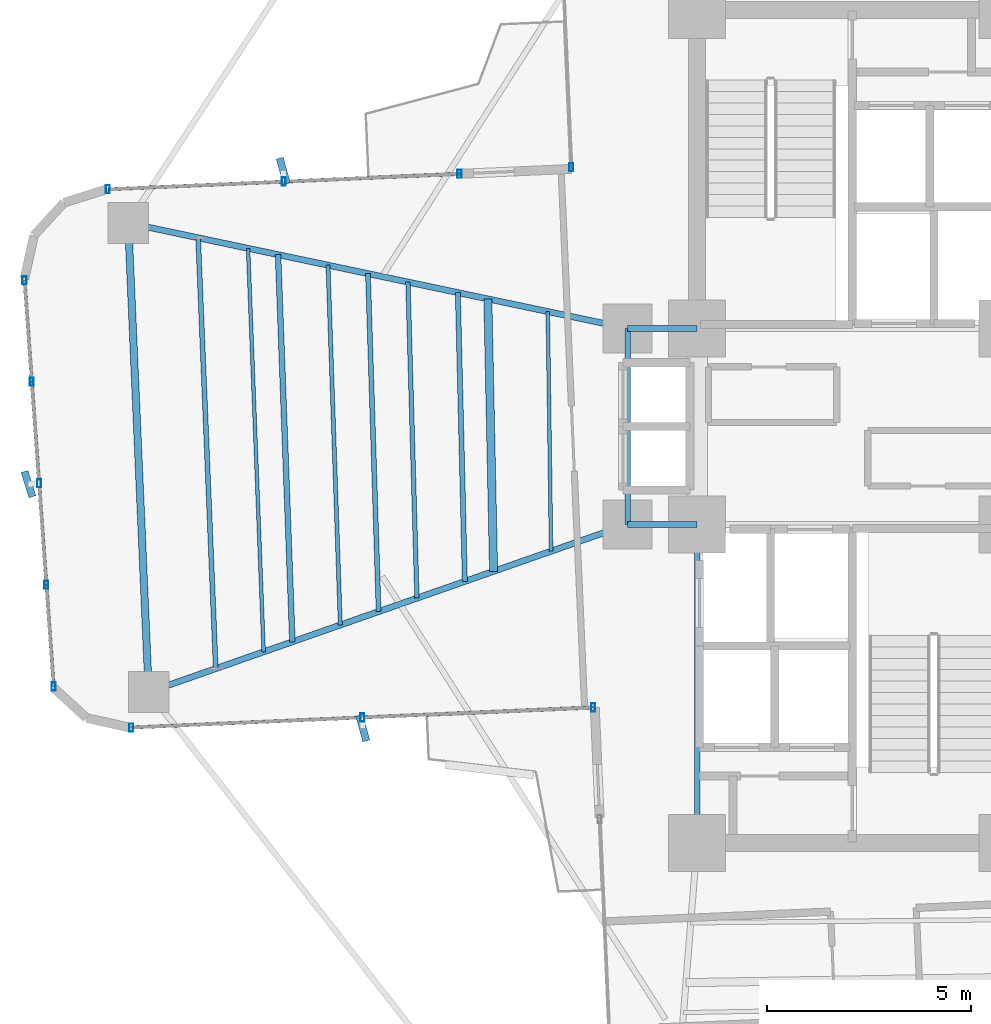
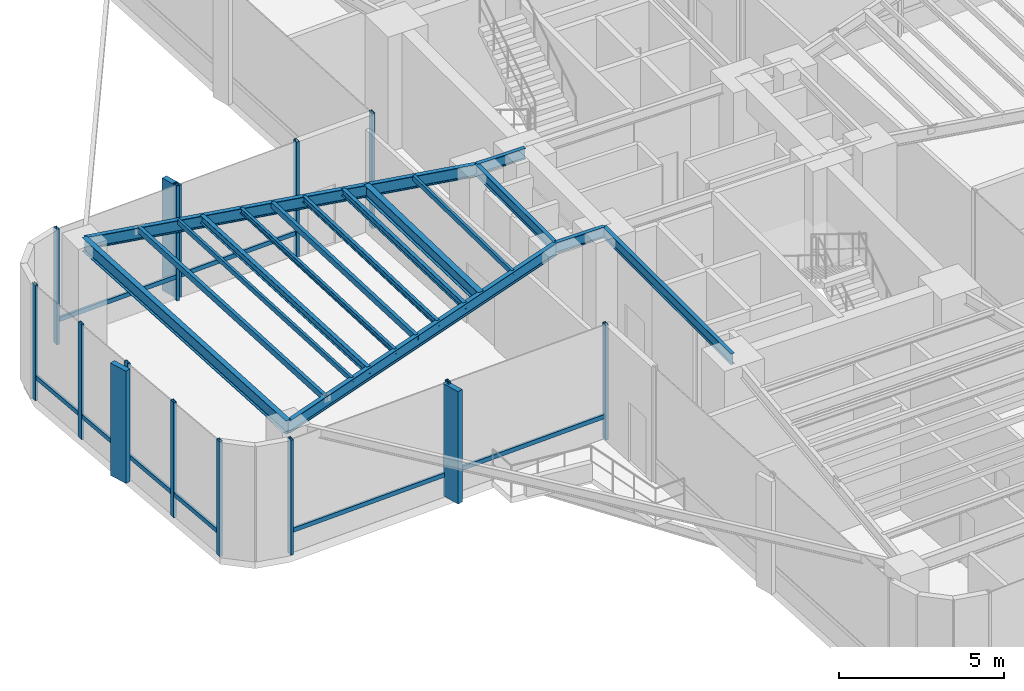
# One storey, part 5 of 21: 23 members, 16 beams, 4 elements without a shape of their own.
"""IFC4 building model written with IfcOpenShell, lengths in metres."""

from ifc_helpers import new_model, si_unit, direction, frame, origin, origin_2d, place, context, subcontext, project, spatial, rectangle, hollow_rectangle, i_section, extrude, source, transform, mapped, material, material_profile, profile_set, type_object, element, aggregate, save


model = new_model("IFC4")

# Units and contexts
model_context = context("Model", 3, precision=1e-05, world=origin(), true_north=direction((0.0, 1.0)))
body_context = subcontext(model_context, "Body", "Model", "MODEL_VIEW")
ifc_project = project(units=[si_unit("LENGTHUNIT", "METRE"), si_unit("AREAUNIT", "SQUARE_METRE"), si_unit("VOLUMEUNIT", "CUBIC_METRE"), si_unit("PLANEANGLEUNIT", "RADIAN"), si_unit("MASSUNIT", "GRAM", prefix="KILO")], contexts=[model_context])

# Site, building, storey
site_placement = place(None, origin())
site = spatial("IfcSite", under=ifc_project, at=site_placement, CompositionType="ELEMENT")
building_placement = place(site_placement, origin())
building = spatial("IfcBuilding", under=site, at=building_placement, Name="Sahyath Konkavel Grand Hotel", CompositionType="ELEMENT")
storey_placement = place(building_placement, frame((0.0, 0.0, 79.0)))
storey = spatial("IfcBuildingStorey", under=building, at=storey_placement, Name="L21", CompositionType="ELEMENT", Elevation=79.0)

# Beams
ifc_material_1 = material(Name="Steel E350", Category="steel")
ifc_material_profile_1 = material_profile(ifc_material_1, i_section(OverallWidth=0.139892578125, OverallDepth=0.39990234375, WebThickness=0.0087890625, FlangeThickness=0.01611328125, FilletRadius=0.013916015625, at=origin_2d()), Name="ISMB 400")
ifc_profile_set_1 = profile_set([ifc_material_profile_1], Name="Steel E350")
beam_type_1 = type_object("IfcBeamType", Name="BM-ISMB400", PredefinedType="BEAM", material=ifc_profile_set_1)
shared_shape_1 = source(origin(), body_context, "Body", "SweptSolid", [
    extrude(i_section(OverallWidth=0.139892578125, OverallDepth=0.39990234375, WebThickness=0.0087890625, FlangeThickness=0.01611328125, FilletRadius=0.013916015625, at=origin_2d()), origin(), (0.0, 0.0, 1.0), 7.800048828125),
])
beam_1_placement = place(storey_placement, frame((-3.800048828125, -10.199951171875, 4.06005859375), z_axis=(0.0, 1.0, 0.0), x_axis=(-1.0, 0.0, 0.0)))
element("IfcBeam", 1, at=beam_1_placement, inside=storey, type_object=beam_type_1, Name="str:bm:L21:SC-W", PredefinedType="BEAM", context=body_context, shape_type="MappedRepresentation", body=[
    mapped(shared_shape_1, transform((0.0, 0.0, 0.0), scale=1.0)),
])
shared_shape_2 = source(origin(), body_context, "Body", "SweptSolid", [
    extrude(i_section(OverallWidth=0.139892578125, OverallDepth=0.39990234375, WebThickness=0.0087890625, FlangeThickness=0.01611328125, FilletRadius=0.013916015625, at=origin_2d()), origin(), (0.0, 0.0, 1.0), 1.699951171875),
])
for number, where, z_axis, x_axis, name in (
    (2, (-5.5, 2.39990234375, 4.06005859375), (1.0, 0.0, 0.0), (0.0, 1.0, 0.0), "str:bm:L21:HB-NW"),
    (3, (-5.5, -2.39990234375, 4.06005859375), (1.0, 0.0, 0.0), (0.0, 1.0, 0.0), "str:bm:L21:HB-SW"),
):
    element("IfcBeam", number, at=place(storey_placement, frame(where, z_axis=z_axis, x_axis=x_axis)), inside=storey, type_object=beam_type_1, Name=name, PredefinedType="BEAM", context=body_context, shape_type="MappedRepresentation", body=[
        mapped(shared_shape_2, transform((0.0, 0.0, 0.0), scale=1.0)),
    ])
shared_shape_3 = source(origin(), body_context, "Body", "SweptSolid", [
    extrude(i_section(OverallWidth=0.139892578125, OverallDepth=0.39990234375, WebThickness=0.0087890625, FlangeThickness=0.01611328125, FilletRadius=0.013916015625, at=origin_2d()), origin(), (0.0, 0.0, 1.0), 4.7998046875),
])
beam_2_placement = place(storey_placement, frame((-5.5, -2.39990234375, 4.06005859375), z_axis=(0.0, 1.0, 0.0), x_axis=(-1.0, 0.0, 0.0)))
element("IfcBeam", 4, at=beam_2_placement, inside=storey, type_object=beam_type_1, Name="str:bm:L21:HB-W", PredefinedType="BEAM", context=body_context, shape_type="MappedRepresentation", body=[
    mapped(shared_shape_3, transform((0.0, 0.0, 0.0), scale=1.0)),
])
ifc_material_profile_2 = material_profile(ifc_material_1, i_section(OverallWidth=0.14990234375, OverallDepth=0.449951171875, WebThickness=0.009521484375, FlangeThickness=0.017333984375, FilletRadius=0.014892578125, at=origin_2d()), Name="ISMB 450")
ifc_profile_set_2 = profile_set([ifc_material_profile_2], Name="Steel E350")
beam_type_2 = type_object("IfcBeamType", Name="BM-ISMB450", PredefinedType="BEAM", material=ifc_profile_set_2)
shared_shape_4 = source(origin(), body_context, "Body", "SweptSolid", [
    extrude(i_section(OverallWidth=0.14990234375, OverallDepth=0.449951171875, WebThickness=0.009521484375, FlangeThickness=0.017333984375, FilletRadius=0.014892578125, at=origin_2d()), origin(), (0.0, 0.0, 1.0), 12.50341796875),
])
beam_3_placement = place(storey_placement, frame((-5.5, 2.39990234375, 4.034912109375), z_axis=(-0.978457911392, 0.206446398937, 0.0), x_axis=(-0.206446398937, -0.978457911392, 0.0)))
element("IfcBeam", 5, at=beam_3_placement, inside=storey, type_object=beam_type_2, Name="L21 Cruciform Radial Girder WA", PredefinedType="BEAM", context=body_context, shape_type="MappedRepresentation", body=[
    mapped(shared_shape_4, transform((0.0, 0.0, 0.0), scale=1.0)),
])
shared_shape_5 = source(origin(), body_context, "Body", "SweptSolid", [
    extrude(i_section(OverallWidth=0.14990234375, OverallDepth=0.449951171875, WebThickness=0.009521484375, FlangeThickness=0.017333984375, FilletRadius=0.014892578125, at=origin_2d()), origin(), (0.0, 0.0, 1.0), 12.430908203125),
])
beam_4_placement = place(storey_placement, frame((-5.5, -2.39990234375, 4.034912109375), z_axis=(-0.943819157235, -0.330462400941, 0.0), x_axis=(0.330462400941, -0.943819157235, 0.0)))
element("IfcBeam", 6, at=beam_4_placement, inside=storey, type_object=beam_type_2, Name="L21 Cruciform Radial Girder WB", PredefinedType="BEAM", context=body_context, shape_type="MappedRepresentation", body=[
    mapped(shared_shape_5, transform((0.0, 0.0, 0.0), scale=1.0)),
])
ifc_material_profile_3 = material_profile(ifc_material_1, i_section(OverallWidth=0.179931640625, OverallDepth=0.5, WebThickness=0.01025390625, FlangeThickness=0.01708984375, FilletRadius=0.01708984375, at=origin_2d()), Name="ISMB 500")
ifc_profile_set_3 = profile_set([ifc_material_profile_3], Name="Steel E350")
beam_type_3 = type_object("IfcBeamType", Name="BM-ISMB500", PredefinedType="BEAM", material=ifc_profile_set_3)
shared_shape_6 = source(origin(), body_context, "Body", "SweptSolid", [
    extrude(i_section(OverallWidth=0.179931640625, OverallDepth=0.5, WebThickness=0.01025390625, FlangeThickness=0.01708984375, FilletRadius=0.01708984375, at=origin_2d()), origin(), (0.0, 0.0, 1.0), 11.5),
])
beam_5_placement = place(storey_placement, frame((-17.734130859375, 4.981201171875, 4.010009765625), z_axis=(0.043627008892, -0.99904788879, 0.0), x_axis=(0.99904788879, 0.043627008892, 0.0)))
element("IfcBeam", 7, at=beam_5_placement, inside=storey, type_object=beam_type_3, Name="L21 Wing Tip Edge Beam W", PredefinedType="BEAM", context=body_context, shape_type="MappedRepresentation", body=[
    mapped(shared_shape_6, transform((0.0, 0.0, 0.0), scale=1.0)),
])
ifc_material_profile_4 = material_profile(ifc_material_1, i_section(OverallWidth=0.199951171875, OverallDepth=0.449951171875, WebThickness=0.00927734375, FlangeThickness=0.015380859375, FilletRadius=0.01611328125, at=origin_2d()), Name="ISWB 450")
ifc_profile_set_4 = profile_set([ifc_material_profile_4], Name="Steel E350")
beam_type_4 = type_object("IfcBeamType", Name="BM-ISWB450", PredefinedType="BEAM", material=ifc_profile_set_4)
shared_shape_7 = source(origin(), body_context, "Body", "SweptSolid", [
    extrude(i_section(OverallWidth=0.199951171875, OverallDepth=0.449951171875, WebThickness=0.00927734375, FlangeThickness=0.015380859375, FilletRadius=0.01611328125, at=origin_2d()), origin(), (0.0, 0.0, 1.0), 6.674560546875),
])
beam_6_placement = place(storey_placement, frame((-8.925537109375, 3.122802734375, 4.034912109375), z_axis=(0.021032188543, -0.999778799058, 0.0), x_axis=(0.999778799058, 0.021032188543, 0.0)))
element("IfcBeam", 8, at=beam_6_placement, inside=storey, type_object=beam_type_4, Name="L21 Secondary Floor Beam W-1", PredefinedType="BEAM", context=body_context, shape_type="MappedRepresentation", body=[
    mapped(shared_shape_7, transform((0.0, 0.0, 0.0), scale=1.0)),
])
ifc_material_profile_5 = material_profile(ifc_material_1, hollow_rectangle(XDim=0.1201171875, YDim=0.219970703125, WallThickness=0.010009765625, at=origin_2d()), Name="RHS 220x120x10")
ifc_profile_set_5 = profile_set([ifc_material_profile_5], Name="Steel E350")
beam_type_5 = type_object("IfcBeamType", Name="BM-RHS220", PredefinedType="BEAM", material=ifc_profile_set_5)
shared_shape_8 = source(origin(), body_context, "Body", "SweptSolid", [
    extrude(hollow_rectangle(XDim=0.1201171875, YDim=0.219970703125, WallThickness=0.010009765625, at=origin_2d()), origin(), (0.0, 0.0, 1.0), 8.282470703125),
])
beam_7_placement = place(storey_placement, frame((-11.86181640625, 3.7421875, 4.14990234375), z_axis=(0.031510827707, -0.999503410568, 0.0), x_axis=(0.999503410568, 0.031510827707, 0.0)))
element("IfcBeam", 9, at=beam_7_placement, inside=storey, type_object=beam_type_5, Name="L21 Secondary Floor Beam W-2", PredefinedType="BEAM", context=body_context, shape_type="MappedRepresentation", body=[
    mapped(shared_shape_8, transform((0.0, 0.0, 0.0), scale=1.0)),
])
ifc_material_profile_6 = material_profile(ifc_material_1, hollow_rectangle(XDim=0.090087890625, YDim=0.179931640625, WallThickness=0.008056640625, at=origin_2d()), Name="RHS 180x90x8")
ifc_profile_set_6 = profile_set([ifc_material_profile_6], Name="Steel E350")
beam_type_6 = type_object("IfcBeamType", Name="BM-RHS180", PredefinedType="BEAM", material=ifc_profile_set_6)
shared_shape_9 = source(origin(), body_context, "Body", "SweptSolid", [
    extrude(hollow_rectangle(XDim=0.090087890625, YDim=0.179931640625, WallThickness=0.008056640625, at=origin_2d()), origin(), (0.0, 0.0, 1.0), 9.89111328125),
])
beam_8_placement = place(storey_placement, frame((-14.798095703125, 4.36181640625, 4.169921875), z_axis=(0.03855445741, -0.999256500511, 0.0), x_axis=(0.999256500511, 0.03855445741, 0.0)))
element("IfcBeam", 10, at=beam_8_placement, inside=storey, type_object=beam_type_6, Name="L21 Secondary Floor Beam W-3", PredefinedType="BEAM", context=body_context, shape_type="MappedRepresentation", body=[
    mapped(shared_shape_9, transform((0.0, 0.0, 0.0), scale=1.0)),
])
shared_shape_10 = source(origin(), body_context, "Body", "SweptSolid", [
    extrude(hollow_rectangle(XDim=0.090087890625, YDim=0.179931640625, WallThickness=0.008056640625, at=origin_2d()), origin(), (0.0, 0.0, 1.0), 5.870849609375),
])
beam_9_placement = place(storey_placement, frame((-7.45751953125, 2.81298828125, 4.169921875), z_axis=(0.013681397685, -0.999906405299, 0.0), x_axis=(0.999906405299, 0.013681397685, 0.0)))
element("IfcBeam", 11, at=beam_9_placement, inside=storey, type_object=beam_type_6, Name="L21 Composite Deck Sub-Beam W-1", PredefinedType="BEAM", context=body_context, shape_type="MappedRepresentation", body=[
    mapped(shared_shape_10, transform((0.0, 0.0, 0.0), scale=1.0)),
])
ifc_material_profile_7 = material_profile(ifc_material_1, i_section(OverallWidth=0.125, OverallDepth=0.25, WebThickness=0.0068359375, FlangeThickness=0.012451171875, FilletRadius=0.012939453125, at=origin_2d()), Name="ISMB 250")
ifc_profile_set_7 = profile_set([ifc_material_profile_7], Name="Steel E350")
beam_type_7 = type_object("IfcBeamType", Name="BM-ISMB250", PredefinedType="BEAM", material=ifc_profile_set_7)
shared_shape_11 = source(origin(), body_context, "Body", "SweptSolid", [
    extrude(i_section(OverallWidth=0.125, OverallDepth=0.25, WebThickness=0.0068359375, FlangeThickness=0.012451171875, FilletRadius=0.012939453125, at=origin_2d()), origin(), (0.0, 0.0, 1.0), 7.076171875),
])
beam_10_placement = place(storey_placement, frame((-9.65966796875, 3.277587890625, 4.135009765625), z_axis=(0.024116396364, -0.999709157419, 0.0), x_axis=(0.999709157419, 0.024116396364, 0.0)))
element("IfcBeam", 12, at=beam_10_placement, inside=storey, type_object=beam_type_7, Name="L21 Composite Deck Sub-Beam W-2", PredefinedType="BEAM", context=body_context, shape_type="MappedRepresentation", body=[
    mapped(shared_shape_11, transform((0.0, 0.0, 0.0), scale=1.0)),
])
ifc_material_profile_8 = material_profile(ifc_material_1, i_section(OverallWidth=0.110107421875, OverallDepth=0.22509765625, WebThickness=0.006591796875, FlangeThickness=0.01171875, FilletRadius=0.011962890625, at=origin_2d()), Name="ISMB 225")
ifc_profile_set_8 = profile_set([ifc_material_profile_8], Name="Steel E350")
beam_type_8 = type_object("IfcBeamType", Name="BM-ISMB225", PredefinedType="BEAM", material=ifc_profile_set_8)
shared_shape_12 = source(origin(), body_context, "Body", "SweptSolid", [
    extrude(i_section(OverallWidth=0.110107421875, OverallDepth=0.22509765625, WebThickness=0.006591796875, FlangeThickness=0.01171875, FilletRadius=0.011962890625, at=origin_2d()), origin(), (0.0, 0.0, 1.0), 7.746337890625),
])
beam_11_placement = place(storey_placement, frame((-10.883056640625, 3.53564453125, 4.1474609375), z_axis=(0.02849139268, -0.999594037869, 0.0), x_axis=(0.999594037869, 0.02849139268, 0.0)))
element("IfcBeam", 13, at=beam_11_placement, inside=storey, type_object=beam_type_8, Name="L21 Composite Deck Sub-Beam W-3", PredefinedType="BEAM", context=body_context, shape_type="MappedRepresentation", body=[
    mapped(shared_shape_12, transform((0.0, 0.0, 0.0), scale=1.0)),
])
ifc_material_profile_9 = material_profile(ifc_material_1, i_section(OverallWidth=0.10009765625, OverallDepth=0.199951171875, WebThickness=0.005615234375, FlangeThickness=0.0107421875, FilletRadius=0.010986328125, at=origin_2d()), Name="ISMB 200")
ifc_profile_set_9 = profile_set([ifc_material_profile_9], Name="Steel E350")
beam_type_9 = type_object("IfcBeamType", Name="BM-ISMB200", PredefinedType="BEAM", material=ifc_profile_set_9)
shared_shape_13 = source(origin(), body_context, "Body", "SweptSolid", [
    extrude(i_section(OverallWidth=0.10009765625, OverallDepth=0.199951171875, WebThickness=0.005615234375, FlangeThickness=0.0107421875, FilletRadius=0.010986328125, at=origin_2d()), origin(), (0.0, 0.0, 1.0), 8.818603515625),
])
beam_12_placement = place(storey_placement, frame((-12.840576171875, 3.94873046875, 4.159912109375), z_axis=(0.034135219852, -0.999417223569, 0.0), x_axis=(0.999417223569, 0.034135219852, 0.0)))
element("IfcBeam", 14, at=beam_12_placement, inside=storey, type_object=beam_type_9, Name="L21 Composite Deck Sub-Beam W-4", PredefinedType="BEAM", context=body_context, shape_type="MappedRepresentation", body=[
    mapped(shared_shape_13, transform((0.0, 0.0, 0.0), scale=1.0)),
])
ifc_material_profile_10 = material_profile(ifc_material_1, i_section(OverallWidth=0.139892578125, OverallDepth=0.27490234375, WebThickness=0.00634765625, FlangeThickness=0.0087890625, FilletRadius=0.012939453125, at=origin_2d()), Name="ISLB 275")
ifc_profile_set_10 = profile_set([ifc_material_profile_10], Name="Steel E350")
beam_type_10 = type_object("IfcBeamType", Name="BM-ISLB275", PredefinedType="BEAM", material=ifc_profile_set_10)
shared_shape_14 = source(origin(), body_context, "Body", "SweptSolid", [
    extrude(i_section(OverallWidth=0.139892578125, OverallDepth=0.27490234375, WebThickness=0.00634765625, FlangeThickness=0.0087890625, FilletRadius=0.012939453125, at=origin_2d()), origin(), (0.0, 0.0, 1.0), 9.48876953125),
])
beam_13_placement = place(storey_placement, frame((-14.06396484375, 4.206787109375, 4.12255859375), z_axis=(0.03699928911, -0.99931529189, 0.0), x_axis=(0.99931529189, 0.03699928911, 0.0)))
element("IfcBeam", 15, at=beam_13_placement, inside=storey, type_object=beam_type_10, Name="L21 Composite Deck Sub-Beam W-5", PredefinedType="BEAM", context=body_context, shape_type="MappedRepresentation", body=[
    mapped(shared_shape_14, transform((0.0, 0.0, 0.0), scale=1.0)),
])
shared_shape_15 = source(origin(), body_context, "Body", "SweptSolid", [
    extrude(hollow_rectangle(XDim=0.1201171875, YDim=0.219970703125, WallThickness=0.010009765625, at=origin_2d()), origin(), (0.0, 0.0, 1.0), 10.5615234375),
])
beam_14_placement = place(storey_placement, frame((-16.021484375, 4.619873046875, 4.14990234375), z_axis=(0.040869027801, -0.999164512263, 0.0), x_axis=(0.999164512263, 0.040869027801, 0.0)))
element("IfcBeam", 16, at=beam_14_placement, inside=storey, type_object=beam_type_5, Name="L21 Composite Deck Sub-Beam W-6", PredefinedType="BEAM", context=body_context, shape_type="MappedRepresentation", body=[
    mapped(shared_shape_15, transform((0.0, 0.0, 0.0), scale=1.0)),
])

# Curtain wall, member
ifc_material_2 = material(Name="Anodised Bronze Aluminium & Low-E Glazing", Category="aluminium")
curtain_wall_type = type_object("IfcCurtainWallType", Name="CW-SKYLOBBY", PredefinedType="NOTDEFINED", material=ifc_material_2)
curtain_wall_1_placement = place(storey_placement, origin())
curtain_wall_1 = element("IfcCurtainWall", 17, at=curtain_wall_1_placement, inside=storey, type_object=curtain_wall_type, Name="L21 Unitised Curtain Wall F15", PredefinedType="NOTDEFINED")
ifc_material_3 = material(Name="Anodised Bronze Aluminium", Category="aluminium")
ifc_material_profile_11 = material_profile(ifc_material_3, hollow_rectangle(XDim=0.10009765625, YDim=0.199951171875, WallThickness=0.008056640625, at=origin_2d()), Name="RHS 200x100x8")
ifc_profile_set_11 = profile_set([ifc_material_profile_11], Name="Anodised Bronze Aluminium")
member_type_1 = type_object("IfcMemberType", Name="CW-MUL-200", PredefinedType="MULLION", material=ifc_profile_set_11)
shared_shape_16 = source(origin(), body_context, "Body", "SweptSolid", [
    extrude(hollow_rectangle(XDim=0.10009765625, YDim=0.199951171875, WallThickness=0.008056640625, at=origin_2d()), origin(), (0.0, 0.0, 1.0), 4.260009765625),
])
member_1_placement = place(storey_placement, frame((-6.88330078125, 6.345703125, 0.0), z_axis=(0.0, 0.0, 1.0), x_axis=(1.0, 0.0, 0.0)))
member_1 = element("IfcMember", 18, at=member_1_placement, type_object=member_type_1, Name="L21 Curtain Wall Mullion F15-2", PredefinedType="MULLION", context=body_context, shape_type="MappedRepresentation", body=[
    mapped(shared_shape_16, transform((0.0, 0.0, 0.0), scale=1.0)),
])
aggregate(curtain_wall_1, [member_1])

# Curtain wall, members
curtain_wall_2_placement = place(storey_placement, origin())
curtain_wall_2 = element("IfcCurtainWall", 19, at=curtain_wall_2_placement, inside=storey, type_object=curtain_wall_type, Name="L21 Unitised Curtain Wall F16", PredefinedType="NOTDEFINED")
member_2_placement = place(storey_placement, frame((-9.618896484375, 6.186279296875, 0.0), z_axis=(0.0, 0.0, 1.0), x_axis=(1.0, 0.0, 0.0)))
member_2 = element("IfcMember", 20, at=member_2_placement, type_object=member_type_1, Name="L21 Curtain Wall Mullion F16-0", PredefinedType="MULLION", context=body_context, shape_type="MappedRepresentation", body=[
    mapped(shared_shape_16, transform((0.0, 0.0, 0.0), scale=1.0)),
])
member_3_placement = place(storey_placement, frame((-13.9248046875, 5.998291015625, 0.0), z_axis=(0.0, 0.0, 1.0), x_axis=(1.0, 0.0, 0.0)))
member_3 = element("IfcMember", 21, at=member_3_placement, type_object=member_type_1, Name="L21 Curtain Wall Mullion F16-1", PredefinedType="MULLION", context=body_context, shape_type="MappedRepresentation", body=[
    mapped(shared_shape_16, transform((0.0, 0.0, 0.0), scale=1.0)),
])
member_4_placement = place(storey_placement, frame((-18.230712890625, 5.810302734375, 0.0), z_axis=(0.0, 0.0, 1.0), x_axis=(1.0, 0.0, 0.0)))
member_4 = element("IfcMember", 22, at=member_4_placement, type_object=member_type_1, Name="L21 Curtain Wall Mullion F16-2", PredefinedType="MULLION", context=body_context, shape_type="MappedRepresentation", body=[
    mapped(shared_shape_16, transform((0.0, 0.0, 0.0), scale=1.0)),
])

curtain_wall_3_placement = place(storey_placement, origin())
curtain_wall_3 = element("IfcCurtainWall", 23, at=curtain_wall_3_placement, inside=storey, type_object=curtain_wall_type, Name="L21 Unitised Curtain Wall F20", PredefinedType="NOTDEFINED")
member_5_placement = place(storey_placement, frame((-20.2744140625, 3.5791015625, 0.0), z_axis=(0.0, 0.0, 1.0), x_axis=(1.0, 0.0, 0.0)))
member_5 = element("IfcMember", 24, at=member_5_placement, type_object=member_type_1, Name="L21 Curtain Wall Mullion F20-0", PredefinedType="MULLION", context=body_context, shape_type="MappedRepresentation", body=[
    mapped(shared_shape_16, transform((0.0, 0.0, 0.0), scale=1.0)),
])
member_6_placement = place(storey_placement, frame((-20.095947265625, 1.092041015625, 0.0), z_axis=(0.0, 0.0, 1.0), x_axis=(1.0, 0.0, 0.0)))
member_6 = element("IfcMember", 25, at=member_6_placement, type_object=member_type_1, Name="L21 Curtain Wall Mullion F20-1", PredefinedType="MULLION", context=body_context, shape_type="MappedRepresentation", body=[
    mapped(shared_shape_16, transform((0.0, 0.0, 0.0), scale=1.0)),
])
member_7_placement = place(storey_placement, frame((-19.91748046875, -1.39501953125, 0.0), z_axis=(0.0, 0.0, 1.0), x_axis=(1.0, 0.0, 0.0)))
member_7 = element("IfcMember", 26, at=member_7_placement, type_object=member_type_1, Name="L21 Curtain Wall Mullion F20-2", PredefinedType="MULLION", context=body_context, shape_type="MappedRepresentation", body=[
    mapped(shared_shape_16, transform((0.0, 0.0, 0.0), scale=1.0)),
])
member_8_placement = place(storey_placement, frame((-19.739013671875, -3.882080078125, 0.0), z_axis=(0.0, 0.0, 1.0), x_axis=(1.0, 0.0, 0.0)))
member_8 = element("IfcMember", 27, at=member_8_placement, type_object=member_type_1, Name="L21 Curtain Wall Mullion F20-3", PredefinedType="MULLION", context=body_context, shape_type="MappedRepresentation", body=[
    mapped(shared_shape_16, transform((0.0, 0.0, 0.0), scale=1.0)),
])
member_9_placement = place(storey_placement, frame((-19.560546875, -6.369384765625, 0.0), z_axis=(0.0, 0.0, 1.0), x_axis=(1.0, 0.0, 0.0)))
member_9 = element("IfcMember", 28, at=member_9_placement, type_object=member_type_1, Name="L21 Curtain Wall Mullion F20-4", PredefinedType="MULLION", context=body_context, shape_type="MappedRepresentation", body=[
    mapped(shared_shape_16, transform((0.0, 0.0, 0.0), scale=1.0)),
])

curtain_wall_4_placement = place(storey_placement, origin())
curtain_wall_4 = element("IfcCurtainWall", 29, at=curtain_wall_4_placement, inside=storey, type_object=curtain_wall_type, Name="L21 Unitised Curtain Wall F23", PredefinedType="NOTDEFINED")
member_10_placement = place(storey_placement, frame((-17.655029296875, -7.377197265625, 0.0), z_axis=(0.0, 0.0, 1.0), x_axis=(1.0, 0.0, 0.0)))
member_10 = element("IfcMember", 30, at=member_10_placement, type_object=member_type_1, Name="L21 Curtain Wall Mullion F23-0", PredefinedType="MULLION", context=body_context, shape_type="MappedRepresentation", body=[
    mapped(shared_shape_16, transform((0.0, 0.0, 0.0), scale=1.0)),
])
member_11_placement = place(storey_placement, frame((-12.00048828125, -7.13037109375, 0.0), z_axis=(0.0, 0.0, 1.0), x_axis=(1.0, 0.0, 0.0)))
member_11 = element("IfcMember", 31, at=member_11_placement, type_object=member_type_1, Name="L21 Curtain Wall Mullion F23-1", PredefinedType="MULLION", context=body_context, shape_type="MappedRepresentation", body=[
    mapped(shared_shape_16, transform((0.0, 0.0, 0.0), scale=1.0)),
])
member_12_placement = place(storey_placement, frame((-6.345703125, -6.88330078125, 0.0), z_axis=(0.0, 0.0, 1.0), x_axis=(1.0, 0.0, 0.0)))
member_12 = element("IfcMember", 32, at=member_12_placement, type_object=member_type_1, Name="L21 Curtain Wall Mullion F23-2", PredefinedType="MULLION", context=body_context, shape_type="MappedRepresentation", body=[
    mapped(shared_shape_16, transform((0.0, 0.0, 0.0), scale=1.0)),
])

# Member
ifc_material_4 = material(Name="Warm Buff Sandstone Cladding on Concrete C50/60", Category="masonry")
ifc_material_profile_12 = material_profile(ifc_material_4, rectangle(XDim=0.179931640625, YDim=0.64990234375, at=origin_2d()), Name="FIN 180x650")
ifc_profile_set_12 = profile_set([ifc_material_profile_12], Name="Warm Buff Sandstone Cladding on Concrete C50/60")
member_type_2 = type_object("IfcMemberType", Name="FIN-SANDSTONE-650", PredefinedType="MULLION", material=ifc_profile_set_12)
shared_shape_17 = source(origin(), body_context, "Body", "SweptSolid", [
    extrude(rectangle(XDim=0.179931640625, YDim=0.64990234375, at=origin_2d()), origin(), (0.0, 0.0, 1.0), 4.159912109375),
])
member_13_placement = place(storey_placement, frame((-13.936279296875, 6.258056640625, 0.050048828125), z_axis=(0.0, 0.0, 1.0), x_axis=(0.963677080427, 0.267070186767, 0.0)))
member_13 = element("IfcMember", 33, at=member_13_placement, type_object=member_type_2, Name="L21 Sandstone Vertical Solar Fin FIN F16-1", PredefinedType="MULLION", context=body_context, shape_type="MappedRepresentation", body=[
    mapped(shared_shape_17, transform((0.0, 0.0, 0.0), scale=1.0)),
])

member_14_placement = place(storey_placement, frame((-20.1767578125, -1.413818359375, 0.050048828125), z_axis=(0.0, 0.0, 1.0), x_axis=(0.954083620326, 0.299540390309, 0.0)))
member_14 = element("IfcMember", 34, at=member_14_placement, type_object=member_type_2, Name="L21 Sandstone Vertical Solar Fin FIN F20-2", PredefinedType="MULLION", context=body_context, shape_type="MappedRepresentation", body=[
    mapped(shared_shape_17, transform((0.0, 0.0, 0.0), scale=1.0)),
])

member_15_placement = place(storey_placement, frame((-11.989013671875, -7.39013671875, 0.050048828125), z_axis=(0.0, 0.0, 1.0), x_axis=(0.963677080427, 0.267070186767, 0.0)))
member_15 = element("IfcMember", 35, at=member_15_placement, type_object=member_type_2, Name="L21 Sandstone Vertical Solar Fin FIN F23-1", PredefinedType="MULLION", context=body_context, shape_type="MappedRepresentation", body=[
    mapped(shared_shape_17, transform((0.0, 0.0, 0.0), scale=1.0)),
])

ifc_material_profile_13 = material_profile(ifc_material_3, hollow_rectangle(XDim=0.080078125, YDim=0.159912109375, WallThickness=0.006103515625, at=origin_2d()), Name="RHS 160x80x6")
ifc_profile_set_13 = profile_set([ifc_material_profile_13], Name="Anodised Bronze Aluminium")
member_type_3 = type_object("IfcMemberType", Name="CW-TRN-160", PredefinedType="USERDEFINED", material=ifc_profile_set_13)
shared_shape_18 = source(origin(), body_context, "Body", "SweptSolid", [
    extrude(hollow_rectangle(XDim=0.080078125, YDim=0.159912109375, WallThickness=0.006103515625, at=origin_2d()), origin(), (0.0, 0.0, 1.0), 4.31005859375),
])
member_16_placement = place(storey_placement, frame((-9.618896484375, 6.186279296875, 0.85009765625), z_axis=(-0.999048340188, -0.043616670746, 0.0), x_axis=(0.043616670746, -0.999048340188, 0.0)))
member_16 = element("IfcMember", 36, at=member_16_placement, type_object=member_type_3, Name="L21 Curtain Wall Transom F16-0-spandrel", ObjectType="TRANSOM", PredefinedType="USERDEFINED", context=body_context, shape_type="MappedRepresentation", body=[
    mapped(shared_shape_18, transform((0.0, 0.0, 0.0), scale=1.0)),
])

member_17_placement = place(storey_placement, frame((-13.9248046875, 5.998291015625, 0.85009765625), z_axis=(-0.999048340188, -0.043616670746, 0.0), x_axis=(0.043616670746, -0.999048340188, 0.0)))
member_17 = element("IfcMember", 37, at=member_17_placement, type_object=member_type_3, Name="L21 Curtain Wall Transom F16-1-spandrel", ObjectType="TRANSOM", PredefinedType="USERDEFINED", context=body_context, shape_type="MappedRepresentation", body=[
    mapped(shared_shape_18, transform((0.0, 0.0, 0.0), scale=1.0)),
])

aggregate(curtain_wall_2, [member_2, member_3, member_13, member_4, member_16, member_17])

shared_shape_19 = source(origin(), body_context, "Body", "SweptSolid", [
    extrude(hollow_rectangle(XDim=0.080078125, YDim=0.159912109375, WallThickness=0.006103515625, at=origin_2d()), origin(), (0.0, 0.0, 1.0), 2.493408203125),
])
member_18_placement = place(storey_placement, frame((-20.2744140625, 3.5791015625, 0.85009765625), z_axis=(0.071574084062, -0.997435286367, 0.0), x_axis=(0.997435286367, 0.071574084062, 0.0)))
member_18 = element("IfcMember", 38, at=member_18_placement, type_object=member_type_3, Name="L21 Curtain Wall Transom F20-0-spandrel", ObjectType="TRANSOM", PredefinedType="USERDEFINED", context=body_context, shape_type="MappedRepresentation", body=[
    mapped(shared_shape_19, transform((0.0, 0.0, 0.0), scale=1.0)),
])

member_19_placement = place(storey_placement, frame((-20.095947265625, 1.092041015625, 0.85009765625), z_axis=(0.071574084062, -0.997435286367, 0.0), x_axis=(0.997435286367, 0.071574084062, 0.0)))
member_19 = element("IfcMember", 39, at=member_19_placement, type_object=member_type_3, Name="L21 Curtain Wall Transom F20-1-spandrel", ObjectType="TRANSOM", PredefinedType="USERDEFINED", context=body_context, shape_type="MappedRepresentation", body=[
    mapped(shared_shape_19, transform((0.0, 0.0, 0.0), scale=1.0)),
])

member_20_placement = place(storey_placement, frame((-19.91748046875, -1.39501953125, 0.85009765625), z_axis=(0.071574084062, -0.997435286367, 0.0), x_axis=(0.997435286367, 0.071574084062, 0.0)))
member_20 = element("IfcMember", 40, at=member_20_placement, type_object=member_type_3, Name="L21 Curtain Wall Transom F20-2-spandrel", ObjectType="TRANSOM", PredefinedType="USERDEFINED", context=body_context, shape_type="MappedRepresentation", body=[
    mapped(shared_shape_19, transform((0.0, 0.0, 0.0), scale=1.0)),
])

shared_shape_20 = source(origin(), body_context, "Body", "SweptSolid", [
    extrude(hollow_rectangle(XDim=0.080078125, YDim=0.159912109375, WallThickness=0.006103515625, at=origin_2d()), origin(), (0.0, 0.0, 1.0), 2.49365234375),
])
member_21_placement = place(storey_placement, frame((-19.739013671875, -3.882080078125, 0.85009765625), z_axis=(0.071567094714, -0.997435787885, 0.0), x_axis=(0.997435787885, 0.071567094714, 0.0)))
member_21 = element("IfcMember", 41, at=member_21_placement, type_object=member_type_3, Name="L21 Curtain Wall Transom F20-3-spandrel", ObjectType="TRANSOM", PredefinedType="USERDEFINED", context=body_context, shape_type="MappedRepresentation", body=[
    mapped(shared_shape_20, transform((0.0, 0.0, 0.0), scale=1.0)),
])

aggregate(curtain_wall_3, [member_5, member_6, member_7, member_14, member_8, member_9, member_18, member_19, member_20, member_21])

shared_shape_21 = source(origin(), body_context, "Body", "SweptSolid", [
    extrude(hollow_rectangle(XDim=0.080078125, YDim=0.159912109375, WallThickness=0.006103515625, at=origin_2d()), origin(), (0.0, 0.0, 1.0), 5.659912109375),
])
member_22_placement = place(storey_placement, frame((-17.655029296875, -7.377197265625, 0.85009765625), z_axis=(0.999048655935, 0.043609437898, 0.0), x_axis=(-0.043609437898, 0.999048655935, 0.0)))
member_22 = element("IfcMember", 42, at=member_22_placement, type_object=member_type_3, Name="L21 Curtain Wall Transom F23-0-spandrel", ObjectType="TRANSOM", PredefinedType="USERDEFINED", context=body_context, shape_type="MappedRepresentation", body=[
    mapped(shared_shape_21, transform((0.0, 0.0, 0.0), scale=1.0)),
])

shared_shape_22 = source(origin(), body_context, "Body", "SweptSolid", [
    extrude(hollow_rectangle(XDim=0.080078125, YDim=0.159912109375, WallThickness=0.006103515625, at=origin_2d()), origin(), (0.0, 0.0, 1.0), 5.66015625),
])
member_23_placement = place(storey_placement, frame((-12.00048828125, -7.13037109375, 0.85009765625), z_axis=(0.9990468579, 0.043650609628, 0.0), x_axis=(-0.043650609628, 0.9990468579, 0.0)))
member_23 = element("IfcMember", 43, at=member_23_placement, type_object=member_type_3, Name="L21 Curtain Wall Transom F23-1-spandrel", ObjectType="TRANSOM", PredefinedType="USERDEFINED", context=body_context, shape_type="MappedRepresentation", body=[
    mapped(shared_shape_22, transform((0.0, 0.0, 0.0), scale=1.0)),
])

aggregate(curtain_wall_4, [member_10, member_11, member_15, member_12, member_22, member_23])

save(model, "model.ifc")
